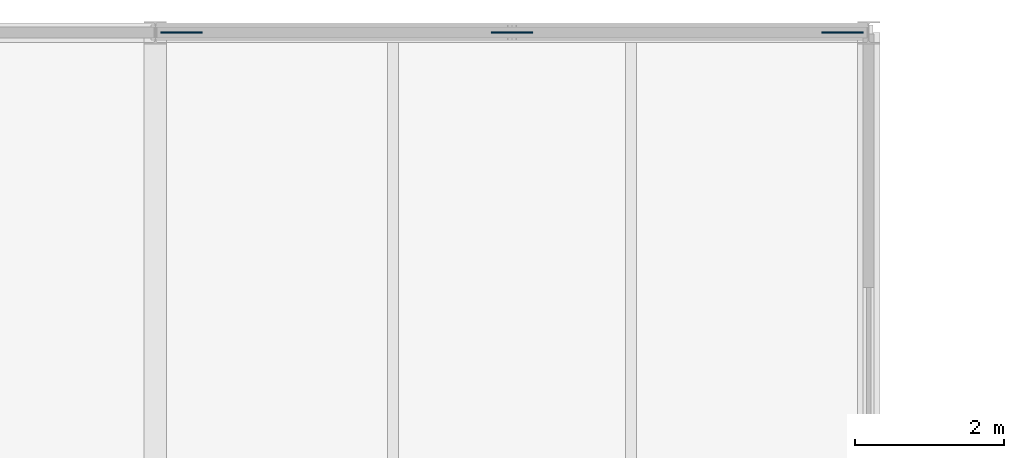
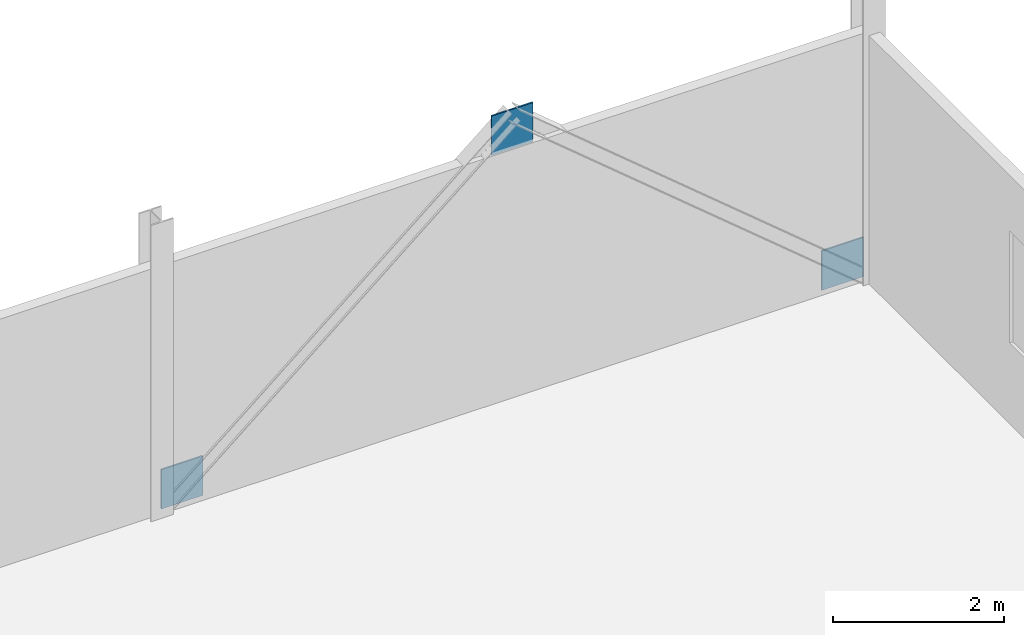
# One storey, part 58 of 73: 3 plates.
"""IFC4 building model written with IfcOpenShell, lengths in metres."""

from ifc_helpers import new_model, si_unit, direction, frame, origin, origin_2d, place, context, subcontext, project, spatial, rectangle, extrude, material, layer, layer_set, type_object, element, save


model = new_model("IFC4")

# Units and contexts
model_context = context("Model", 3, precision=1e-05, world=origin(), true_north=direction((0.0, 1.0)))
body_context = subcontext(model_context, "Body", "Model", "MODEL_VIEW")
ifc_project = project(units=[si_unit("LENGTHUNIT", "METRE"), si_unit("AREAUNIT", "SQUARE_METRE"), si_unit("VOLUMEUNIT", "CUBIC_METRE"), si_unit("PLANEANGLEUNIT", "RADIAN"), si_unit("MASSUNIT", "GRAM", prefix="KILO")], contexts=[model_context])

# Site, building, storey
site_placement = place(None, origin())
site = spatial("IfcSite", under=ifc_project, at=site_placement, CompositionType="ELEMENT")
building_placement = place(site_placement, origin())
building = spatial("IfcBuilding", under=site, at=building_placement, Name="Alderhovde Museum", CompositionType="ELEMENT")
storey_placement = place(building_placement, frame((0.0, 0.0, 12.89990234375)))
storey = spatial("IfcBuildingStorey", under=building, at=storey_placement, Name="L03", CompositionType="ELEMENT", Elevation=12.89990234375)

# Plates
ifc_material = material(Name="Steel S355J2", Category="steel")
ifc_layer = layer(ifc_material, 0.02197265625)
ifc_layer_set = layer_set([ifc_layer], Name="Steel S355J2")
plate_type = type_object("IfcPlateType", Name="PLT-GUSSET-22", PredefinedType="USERDEFINED", material=ifc_layer_set)
for number, where, z_axis, x_axis, name in (
    (1, (38.75, 112.0, 0.02001953125), (0.0, 0.0, 1.0), (1.0, 0.0, 0.0), "L03 Brace End Gusset Plate BR-V4-N-BL"),
    (2, (47.64990234375, 112.0, 0.02001953125), (0.0, 0.0, 1.0), (1.0, 0.0, 0.0), "L03 Brace End Gusset Plate BR-V4-N-BR"),
    (3, (43.199951171875, 112.0, 3.5), (0.0, 0.0, 1.0), (1.0, 0.0, 0.0), "L03 Brace End Gusset Plate BR-V4-N-APX"),
):
    element("IfcPlate", number, at=place(storey_placement, frame(where, z_axis=z_axis, x_axis=x_axis)), inside=storey, type_object=plate_type, Name=name, ObjectType="GUSSET PLATE", PredefinedType="USERDEFINED", context=body_context, shape_type="SweptSolid", body=[
        extrude(rectangle(XDim=0.56005859375, YDim=0.02197265625, at=origin_2d()), origin(), (0.0, 0.0, 1.0), 0.56005859375),
    ])

save(model, "model.ifc")
